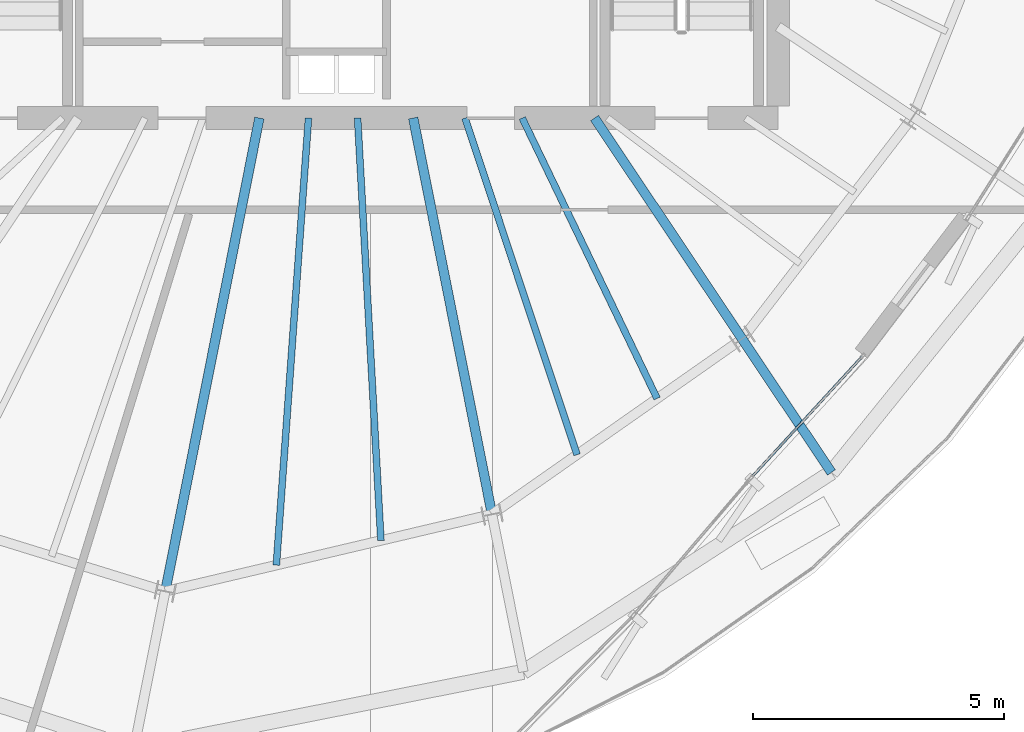
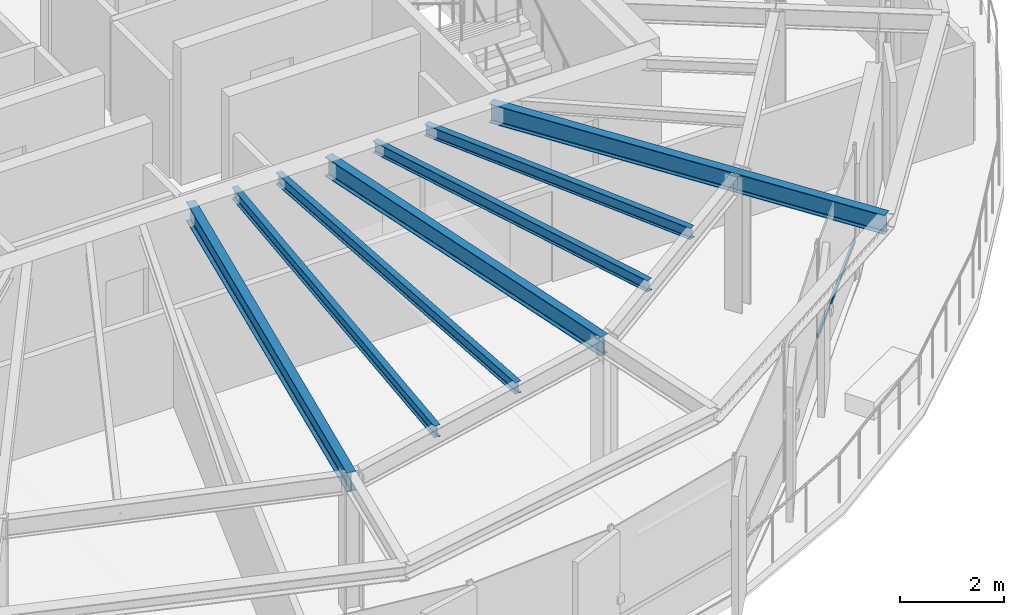
# One storey, part 8 of 30: 8 beams, 1 member, 1 element without a shape of its own.
"""IFC4 building model written with IfcOpenShell, lengths in metres."""

from ifc_helpers import new_model, si_unit, direction, frame, origin, origin_2d, place, context, subcontext, project, spatial, hollow_rectangle, i_section, extrude, source, transform, mapped, material, layer, layer_set, material_profile, profile_set, type_object, element, aggregate, save


model = new_model("IFC4")

# Units and contexts
model_context = context("Model", 3, precision=1e-05, world=origin(), true_north=direction((0.0, 1.0)))
body_context = subcontext(model_context, "Body", "Model", "MODEL_VIEW")
ifc_project = project(units=[si_unit("LENGTHUNIT", "METRE"), si_unit("AREAUNIT", "SQUARE_METRE"), si_unit("VOLUMEUNIT", "CUBIC_METRE"), si_unit("PLANEANGLEUNIT", "RADIAN"), si_unit("MASSUNIT", "GRAM", prefix="KILO"), si_unit("THERMODYNAMICTEMPERATUREUNIT", "KELVIN")], contexts=[model_context])

# Site, building, storey
site_placement = place(None, origin())
site = spatial("IfcSite", under=ifc_project, at=site_placement, CompositionType="ELEMENT")
building_placement = place(site_placement, origin())
building = spatial("IfcBuilding", under=site, at=building_placement, Name="Kethvar Cultural Tower", CompositionType="ELEMENT")
storey_placement = place(building_placement, frame((0.0, 0.0, 293.949951171875)))
storey = spatial("IfcBuildingStorey", under=building, at=storey_placement, Name="L78", CompositionType="ELEMENT", Elevation=293.949951171875)

# Beams
ifc_material_1 = material(Name="Steel S355J2", Category="steel")
ifc_material_profile_1 = material_profile(ifc_material_1, i_section(OverallWidth=0.18994140625, OverallDepth=0.449951171875, WebThickness=0.009521484375, FlangeThickness=0.0146484375, FilletRadius=0.02099609375, at=origin_2d()), Name="Steel S355J2 — IPE450")
ifc_profile_set_1 = profile_set([ifc_material_profile_1], Name="Steel S355J2 — IPE450")
beam_type_1 = type_object("IfcBeamType", Name="BM-IPE450", PredefinedType="BEAM", material=ifc_profile_set_1)
shared_shape_1 = source(origin(), body_context, "Body", "SweptSolid", [
    extrude(i_section(OverallWidth=0.18994140625, OverallDepth=0.449951171875, WebThickness=0.009521484375, FlangeThickness=0.0146484375, FilletRadius=0.02099609375, at=origin_2d()), origin(), (0.0, 0.0, 1.0), 3.199951171875),
])
beam_1_placement = place(storey_placement, frame((54.885009765625, 15.7001953125, 2.983154296875), z_axis=(0.555492222339, -0.83152173208, 0.0), x_axis=(0.83152173208, 0.555492222339, 0.0)))
element("IfcBeam", 1, at=beam_1_placement, inside=storey, type_object=beam_type_1, Name="L78 Perimeter Cantilever Beam RC-14", PredefinedType="BEAM", context=body_context, shape_type="MappedRepresentation", body=[
    mapped(shared_shape_1, transform((0.0, 0.0, 0.0), scale=1.0)),
])
shared_shape_2 = source(origin(), body_context, "Body", "SweptSolid", [
    extrude(i_section(OverallWidth=0.18994140625, OverallDepth=0.449951171875, WebThickness=0.009521484375, FlangeThickness=0.0146484375, FilletRadius=0.02099609375, at=origin_2d()), origin(), (0.0, 0.0, 1.0), 9.613525390625),
])
beam_2_placement = place(storey_placement, frame((45.268310546875, 20.10009765625, 2.983154296875), z_axis=(-0.195090428816, -0.980785259159, 0.0), x_axis=(0.980785259159, -0.195090428816, 0.0)))
element("IfcBeam", 2, at=beam_2_placement, inside=storey, type_object=beam_type_1, Name="L78 Primary Radial Beam RB-12", PredefinedType="BEAM", context=body_context, shape_type="MappedRepresentation", body=[
    mapped(shared_shape_2, transform((0.0, 0.0, 0.0), scale=1.0)),
])
shared_shape_3 = source(origin(), body_context, "Body", "SweptSolid", [
    extrude(i_section(OverallWidth=0.18994140625, OverallDepth=0.449951171875, WebThickness=0.009521484375, FlangeThickness=0.0146484375, FilletRadius=0.02099609375, at=origin_2d()), origin(), (0.0, 0.0, 1.0), 8.0478515625),
])
beam_3_placement = place(storey_placement, frame((48.33154296875, 20.10009765625, 2.983154296875), z_axis=(0.195089278796, -0.980785487912, 0.0), x_axis=(0.980785487912, 0.195089278796, 0.0)))
element("IfcBeam", 3, at=beam_3_placement, inside=storey, type_object=beam_type_1, Name="L78 Primary Radial Beam RB-13", PredefinedType="BEAM", context=body_context, shape_type="MappedRepresentation", body=[
    mapped(shared_shape_3, transform((0.0, 0.0, 0.0), scale=1.0)),
])
shared_shape_4 = source(origin(), body_context, "Body", "SweptSolid", [
    extrude(i_section(OverallWidth=0.18994140625, OverallDepth=0.449951171875, WebThickness=0.009521484375, FlangeThickness=0.0146484375, FilletRadius=0.02099609375, at=origin_2d()), origin(), (0.0, 0.0, 1.0), 5.291748046875),
])
beam_4_placement = place(storey_placement, frame((51.945068359375, 20.10009765625, 2.983154296875), z_axis=(0.555572931011, -0.831467809556, 0.0), x_axis=(0.831467809556, 0.555572931011, 0.0)))
element("IfcBeam", 4, at=beam_4_placement, inside=storey, type_object=beam_type_1, Name="L78 Primary Radial Beam RB-14", PredefinedType="BEAM", context=body_context, shape_type="MappedRepresentation", body=[
    mapped(shared_shape_4, transform((0.0, 0.0, 0.0), scale=1.0)),
])
ifc_material_profile_2 = material_profile(ifc_material_1, i_section(OverallWidth=0.135009765625, OverallDepth=0.27001953125, WebThickness=0.006591796875, FlangeThickness=0.01025390625, FilletRadius=0.014892578125, at=origin_2d()), Name="Steel S355J2 — IPE270")
ifc_profile_set_2 = profile_set([ifc_material_profile_2], Name="Steel S355J2 — IPE270")
beam_type_2 = type_object("IfcBeamType", Name="BM-J270", PredefinedType="JOIST", material=ifc_profile_set_2)
shared_shape_5 = source(origin(), body_context, "Body", "SweptSolid", [
    extrude(i_section(OverallWidth=0.135009765625, OverallDepth=0.27001953125, WebThickness=0.006591796875, FlangeThickness=0.01025390625, FilletRadius=0.014892578125, at=origin_2d()), origin(), (0.0, 0.0, 1.0), 8.9296875),
])
beam_5_placement = place(storey_placement, frame((46.246337890625, 20.10009765625, 3.072998046875), z_axis=(-0.071713352262, -0.99742528297, 0.0), x_axis=(0.99742528297, -0.071713352262, 0.0)))
element("IfcBeam", 5, at=beam_5_placement, inside=storey, type_object=beam_type_2, Name="L78 Composite Floor Joist J-12A", PredefinedType="JOIST", context=body_context, shape_type="MappedRepresentation", body=[
    mapped(shared_shape_5, transform((0.0, 0.0, 0.0), scale=1.0)),
])
shared_shape_6 = source(origin(), body_context, "Body", "SweptSolid", [
    extrude(i_section(OverallWidth=0.135009765625, OverallDepth=0.27001953125, WebThickness=0.006591796875, FlangeThickness=0.01025390625, FilletRadius=0.014892578125, at=origin_2d()), origin(), (0.0, 0.0, 1.0), 8.427978515625),
])
beam_6_placement = place(storey_placement, frame((47.224609375, 20.10009765625, 3.072998046875), z_axis=(0.055067321535, -0.998482643865, 0.0), x_axis=(0.998482643865, 0.055067321535, 0.0)))
element("IfcBeam", 6, at=beam_6_placement, inside=storey, type_object=beam_type_2, Name="L78 Composite Floor Joist J-12B", PredefinedType="JOIST", context=body_context, shape_type="MappedRepresentation", body=[
    mapped(shared_shape_6, transform((0.0, 0.0, 0.0), scale=1.0)),
])
shared_shape_7 = source(origin(), body_context, "Body", "SweptSolid", [
    extrude(i_section(OverallWidth=0.135009765625, OverallDepth=0.27001953125, WebThickness=0.006591796875, FlangeThickness=0.01025390625, FilletRadius=0.014892578125, at=origin_2d()), origin(), (0.0, 0.0, 1.0), 7.0673828125),
])
beam_7_placement = place(storey_placement, frame((49.363525390625, 20.10009765625, 3.072998046875), z_axis=(0.315875389768, -0.948800684095, 0.0), x_axis=(0.948800684095, 0.315875389768, 0.0)))
element("IfcBeam", 7, at=beam_7_placement, inside=storey, type_object=beam_type_2, Name="L78 Composite Floor Joist J-13A", PredefinedType="JOIST", context=body_context, shape_type="MappedRepresentation", body=[
    mapped(shared_shape_7, transform((0.0, 0.0, 0.0), scale=1.0)),
])
shared_shape_8 = source(origin(), body_context, "Body", "SweptSolid", [
    extrude(i_section(OverallWidth=0.135009765625, OverallDepth=0.27001953125, WebThickness=0.006591796875, FlangeThickness=0.01025390625, FilletRadius=0.014892578125, at=origin_2d()), origin(), (0.0, 0.0, 1.0), 6.2001953125),
])
beam_8_placement = place(storey_placement, frame((50.50341796875, 20.10009765625, 3.072998046875), z_axis=(0.433410678328, -0.901196529017, 0.0), x_axis=(0.901196529017, 0.433410678328, 0.0)))
element("IfcBeam", 8, at=beam_8_placement, inside=storey, type_object=beam_type_2, Name="L78 Composite Floor Joist J-13B", PredefinedType="JOIST", context=body_context, shape_type="MappedRepresentation", body=[
    mapped(shared_shape_8, transform((0.0, 0.0, 0.0), scale=1.0)),
])

# Curtain wall, member
ifc_material_2 = material(Name="Aluminium 6063-T6", Category="aluminium")
ifc_layer = layer(ifc_material_2, 0.179931640625, Name="Aluminium 6063-T6", Category="aluminium")
ifc_layer_set = layer_set([ifc_layer], Name="Aluminium 6063-T6 (180 mm)")
curtain_wall_type = type_object("IfcCurtainWallType", Name="CW-SYS-05-Z56", PredefinedType="NOTDEFINED", material=ifc_layer_set)
curtain_wall_placement = place(storey_placement, origin())
curtain_wall = element("IfcCurtainWall", 9, at=curtain_wall_placement, inside=storey, type_object=curtain_wall_type, Name="L78 Curtain Wall Run 05", PredefinedType="NOTDEFINED")
ifc_material_profile_3 = material_profile(ifc_material_2, hollow_rectangle(XDim=0.050048828125, YDim=0.10009765625, WallThickness=0.00390625, at=origin_2d()), Name="Aluminium 6063-T6 — RHS100x50x4")
ifc_profile_set_3 = profile_set([ifc_material_profile_3], Name="Aluminium 6063-T6 — RHS100x50x4")
member_type = type_object("IfcMemberType", Name="CW-SYS-05-Z56-TRN", PredefinedType="USERDEFINED", material=ifc_profile_set_3)
shared_shape_9 = source(origin(), body_context, "Body", "SweptSolid", [
    extrude(hollow_rectangle(XDim=0.050048828125, YDim=0.10009765625, WallThickness=0.00390625, at=origin_2d()), origin(), (0.0, 0.0, 1.0), 3.302490234375),
])
member_placement = place(storey_placement, frame((55.052001953125, 12.9208984375, 0.949951171875), z_axis=(0.675299381109, 0.73754372472, 0.0), x_axis=(-0.73754372472, 0.675299381109, 0.0)))
member = element("IfcMember", 10, at=member_placement, type_object=member_type, Name="CW-L78-R05 Transom 1", ObjectType="TRANSOM", PredefinedType="USERDEFINED", context=body_context, shape_type="MappedRepresentation", body=[
    mapped(shared_shape_9, transform((0.0, 0.0, 0.0), scale=1.0)),
])
aggregate(curtain_wall, [member])

save(model, "model.ifc")
